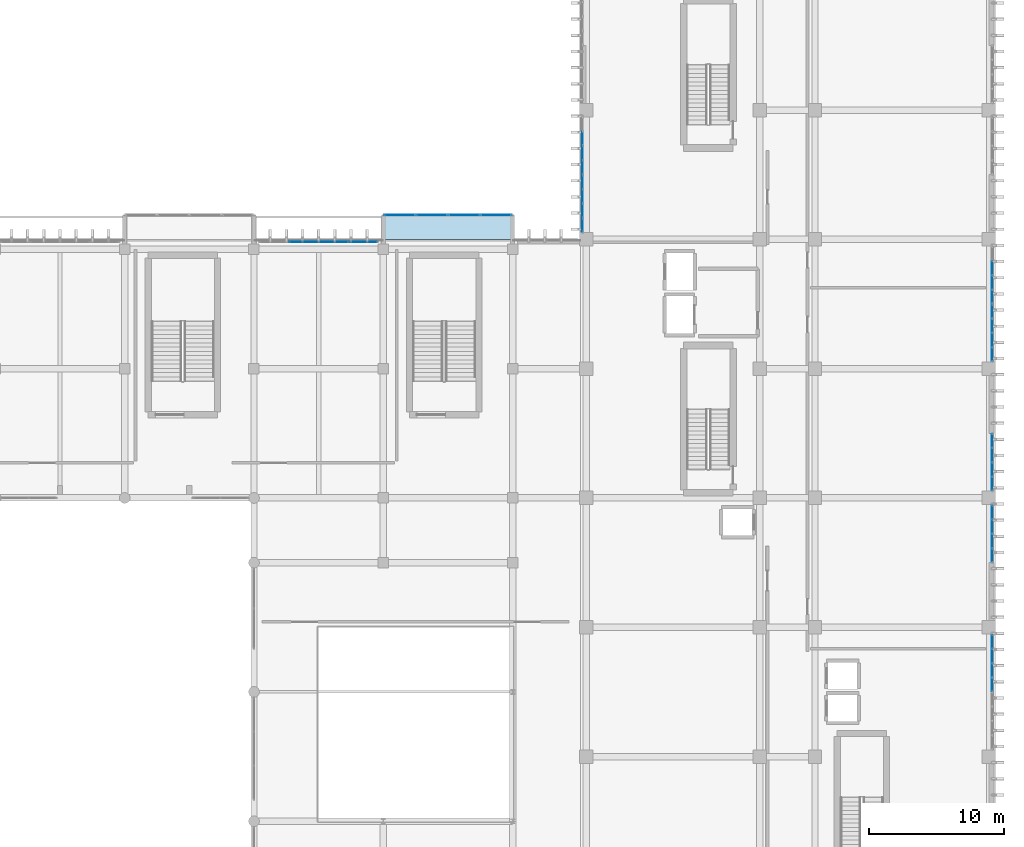
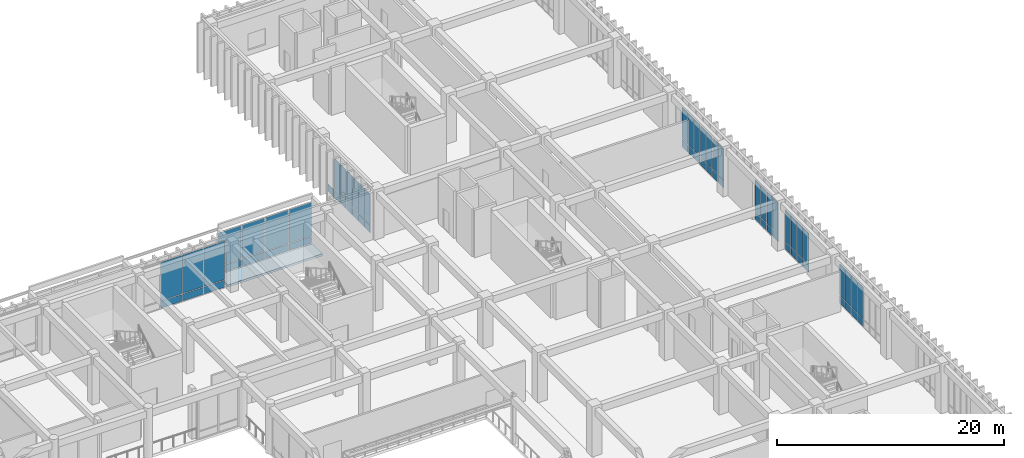
# One storey, part 99 of 134: 65 plates, 1 slab, 9 elements without a shape of their own.
"""IFC4 building model written with IfcOpenShell, lengths in metres."""

from ifc_helpers import new_model, si_unit, direction, frame, origin, origin_2d, place, context, subcontext, project, spatial, polyline, rectangle, outline, extrude, material, layer, layer_set, type_object, element, aggregate, save


model = new_model("IFC4")

# Units and contexts
model_context = context("Model", 3, precision=1e-05, world=origin(), true_north=direction((0.0, 1.0)))
body_context = subcontext(model_context, "Body", "Model", "MODEL_VIEW")
ifc_project = project(units=[si_unit("LENGTHUNIT", "METRE"), si_unit("AREAUNIT", "SQUARE_METRE"), si_unit("VOLUMEUNIT", "CUBIC_METRE"), si_unit("PLANEANGLEUNIT", "RADIAN"), si_unit("MASSUNIT", "GRAM", prefix="KILO")], contexts=[model_context])

# Site, building, storey
site_placement = place(None, origin())
site = spatial("IfcSite", under=ifc_project, at=site_placement, CompositionType="ELEMENT")
building_placement = place(site_placement, origin())
building = spatial("IfcBuilding", under=site, at=building_placement, Name="Nakhvara Creek Congress Hotel", CompositionType="ELEMENT")
storey_placement = place(building_placement, frame((0.0, 0.0, 6.0)))
storey = spatial("IfcBuildingStorey", under=building, at=storey_placement, Name="L01", CompositionType="ELEMENT", Elevation=6.0)

# Curtain wall, plates
ifc_material_1 = material(Name="Bronze-anodised aluminium AW-6063-T6 and double-silver low-E glass", Category="aluminium")
ifc_layer_1 = layer(ifc_material_1, 0.199951171875)
ifc_layer_set_1 = layer_set([ifc_layer_1], Name="Bronze-anodised aluminium AW-6063-T6 and double-silver low-E glass")
curtain_wall_type_1 = type_object("IfcCurtainWallType", Name="CW-HTL-UNIT", PredefinedType="USERDEFINED", material=ifc_layer_set_1)
curtain_wall_1_placement = place(storey_placement, origin())
curtain_wall_1 = element("IfcCurtainWall", 1, at=curtain_wall_1_placement, inside=storey, type_object=curtain_wall_type_1, Name="Curtain Wall CW115", ObjectType="UNITISED", PredefinedType="USERDEFINED")
ifc_material_2 = material(Name="Double-silver solar-control low-E insulated glass", Category="glass")
plate_type_1 = type_object("IfcPlateType", Name="PNL-GLZ-120X250", PredefinedType="CURTAIN_PANEL", material=ifc_material_2)
plate_1_placement = place(storey_placement, frame((179.60009765625, 66.133056640625, 0.06494140625), z_axis=(0.0, 0.0, 1.0), x_axis=(0.0, -1.0, 0.0)))
plate_1 = element("IfcPlate", 2, at=plate_1_placement, type_object=plate_type_1, Name="CW115 panel 1.1", PredefinedType="CURTAIN_PANEL", context=body_context, shape_type="SweptSolid", body=[
    extrude(rectangle(XDim=0.9736328125, YDim=0.028076171875, at=origin_2d()), origin(), (0.0, 0.0, 1.0), 0.75244140625),
])
plate_2_placement = place(storey_placement, frame((179.60009765625, 66.133056640625, 0.882568359375), z_axis=(0.0, 0.0, 1.0), x_axis=(0.0, -1.0, 0.0)))
plate_2 = element("IfcPlate", 3, at=plate_2_placement, type_object=plate_type_1, Name="CW115 panel 1.2", PredefinedType="CURTAIN_PANEL", context=body_context, shape_type="SweptSolid", body=[
    extrude(rectangle(XDim=0.9736328125, YDim=0.028076171875, at=origin_2d()), origin(), (0.0, 0.0, 1.0), 3.39453125),
])
plate_3_placement = place(storey_placement, frame((179.60009765625, 65.078125, 0.06494140625), z_axis=(0.0, 0.0, 1.0), x_axis=(0.0, -1.0, 0.0)))
plate_3 = element("IfcPlate", 4, at=plate_3_placement, type_object=plate_type_1, Name="CW115 panel 2.1", PredefinedType="CURTAIN_PANEL", context=body_context, shape_type="SweptSolid", body=[
    extrude(rectangle(XDim=1.00634765625, YDim=0.028076171875, at=origin_2d()), origin(), (0.0, 0.0, 1.0), 0.75244140625),
])
plate_4_placement = place(storey_placement, frame((179.60009765625, 65.078125, 0.882568359375), z_axis=(0.0, 0.0, 1.0), x_axis=(0.0, -1.0, 0.0)))
plate_4 = element("IfcPlate", 5, at=plate_4_placement, type_object=plate_type_1, Name="CW115 panel 2.2", PredefinedType="CURTAIN_PANEL", context=body_context, shape_type="SweptSolid", body=[
    extrude(rectangle(XDim=1.00634765625, YDim=0.028076171875, at=origin_2d()), origin(), (0.0, 0.0, 1.0), 3.39453125),
])
plate_5_placement = place(storey_placement, frame((179.60009765625, 64.0068359375, 0.06494140625), z_axis=(0.0, 0.0, 1.0), x_axis=(0.0, -1.0, 0.0)))
plate_5 = element("IfcPlate", 6, at=plate_5_placement, type_object=plate_type_1, Name="CW115 panel 3.1", PredefinedType="CURTAIN_PANEL", context=body_context, shape_type="SweptSolid", body=[
    extrude(rectangle(XDim=1.00634765625, YDim=0.028076171875, at=origin_2d()), origin(), (0.0, 0.0, 1.0), 0.75244140625),
])
plate_6_placement = place(storey_placement, frame((179.60009765625, 64.0068359375, 0.882568359375), z_axis=(0.0, 0.0, 1.0), x_axis=(0.0, -1.0, 0.0)))
plate_6 = element("IfcPlate", 7, at=plate_6_placement, type_object=plate_type_1, Name="CW115 panel 3.2", PredefinedType="CURTAIN_PANEL", context=body_context, shape_type="SweptSolid", body=[
    extrude(rectangle(XDim=1.00634765625, YDim=0.028076171875, at=origin_2d()), origin(), (0.0, 0.0, 1.0), 3.39453125),
])
plate_7_placement = place(storey_placement, frame((179.60009765625, 62.951904296875, 0.06494140625), z_axis=(0.0, 0.0, 1.0), x_axis=(0.0, -1.0, 0.0)))
plate_7 = element("IfcPlate", 8, at=plate_7_placement, type_object=plate_type_1, Name="CW115 panel 4.1", PredefinedType="CURTAIN_PANEL", context=body_context, shape_type="SweptSolid", body=[
    extrude(rectangle(XDim=0.9736328125, YDim=0.028076171875, at=origin_2d()), origin(), (0.0, 0.0, 1.0), 0.75244140625),
])
plate_8_placement = place(storey_placement, frame((179.60009765625, 62.951904296875, 0.882568359375), z_axis=(0.0, 0.0, 1.0), x_axis=(0.0, -1.0, 0.0)))
plate_8 = element("IfcPlate", 9, at=plate_8_placement, type_object=plate_type_1, Name="CW115 panel 4.2", PredefinedType="CURTAIN_PANEL", context=body_context, shape_type="SweptSolid", body=[
    extrude(rectangle(XDim=0.9736328125, YDim=0.028076171875, at=origin_2d()), origin(), (0.0, 0.0, 1.0), 3.39453125),
])
aggregate(curtain_wall_1, [plate_1, plate_2, plate_3, plate_4, plate_5, plate_6, plate_7, plate_8])

curtain_wall_2_placement = place(storey_placement, origin())
curtain_wall_2 = element("IfcCurtainWall", 10, at=curtain_wall_2_placement, inside=storey, type_object=curtain_wall_type_1, Name="Curtain Wall CW116", ObjectType="UNITISED", PredefinedType="USERDEFINED")
plate_9_placement = place(storey_placement, frame((179.60009765625, 75.733154296875, 0.06494140625), z_axis=(0.0, 0.0, 1.0), x_axis=(0.0, -1.0, 0.0)))
plate_9 = element("IfcPlate", 11, at=plate_9_placement, type_object=plate_type_1, Name="CW116 panel 1.1", PredefinedType="CURTAIN_PANEL", context=body_context, shape_type="SweptSolid", body=[
    extrude(rectangle(XDim=0.9736328125, YDim=0.028076171875, at=origin_2d()), origin(), (0.0, 0.0, 1.0), 0.75244140625),
])
plate_10_placement = place(storey_placement, frame((179.60009765625, 75.733154296875, 0.882568359375), z_axis=(0.0, 0.0, 1.0), x_axis=(0.0, -1.0, 0.0)))
plate_10 = element("IfcPlate", 12, at=plate_10_placement, type_object=plate_type_1, Name="CW116 panel 1.2", PredefinedType="CURTAIN_PANEL", context=body_context, shape_type="SweptSolid", body=[
    extrude(rectangle(XDim=0.9736328125, YDim=0.028076171875, at=origin_2d()), origin(), (0.0, 0.0, 1.0), 3.39453125),
])
plate_11_placement = place(storey_placement, frame((179.60009765625, 74.67822265625, 0.06494140625), z_axis=(0.0, 0.0, 1.0), x_axis=(0.0, -1.0, 0.0)))
plate_11 = element("IfcPlate", 13, at=plate_11_placement, type_object=plate_type_1, Name="CW116 panel 2.1", PredefinedType="CURTAIN_PANEL", context=body_context, shape_type="SweptSolid", body=[
    extrude(rectangle(XDim=1.00634765625, YDim=0.028076171875, at=origin_2d()), origin(), (0.0, 0.0, 1.0), 0.75244140625),
])
plate_12_placement = place(storey_placement, frame((179.60009765625, 74.67822265625, 0.882568359375), z_axis=(0.0, 0.0, 1.0), x_axis=(0.0, -1.0, 0.0)))
plate_12 = element("IfcPlate", 14, at=plate_12_placement, type_object=plate_type_1, Name="CW116 panel 2.2", PredefinedType="CURTAIN_PANEL", context=body_context, shape_type="SweptSolid", body=[
    extrude(rectangle(XDim=1.00634765625, YDim=0.028076171875, at=origin_2d()), origin(), (0.0, 0.0, 1.0), 3.39453125),
])
plate_13_placement = place(storey_placement, frame((179.60009765625, 73.60693359375, 0.06494140625), z_axis=(0.0, 0.0, 1.0), x_axis=(0.0, -1.0, 0.0)))
plate_13 = element("IfcPlate", 15, at=plate_13_placement, type_object=plate_type_1, Name="CW116 panel 3.1", PredefinedType="CURTAIN_PANEL", context=body_context, shape_type="SweptSolid", body=[
    extrude(rectangle(XDim=1.00634765625, YDim=0.028076171875, at=origin_2d()), origin(), (0.0, 0.0, 1.0), 0.75244140625),
])
plate_14_placement = place(storey_placement, frame((179.60009765625, 73.60693359375, 0.882568359375), z_axis=(0.0, 0.0, 1.0), x_axis=(0.0, -1.0, 0.0)))
plate_14 = element("IfcPlate", 16, at=plate_14_placement, type_object=plate_type_1, Name="CW116 panel 3.2", PredefinedType="CURTAIN_PANEL", context=body_context, shape_type="SweptSolid", body=[
    extrude(rectangle(XDim=1.00634765625, YDim=0.028076171875, at=origin_2d()), origin(), (0.0, 0.0, 1.0), 3.39453125),
])
plate_15_placement = place(storey_placement, frame((179.60009765625, 72.5517578125, 0.06494140625), z_axis=(0.0, 0.0, 1.0), x_axis=(0.0, -1.0, 0.0)))
plate_15 = element("IfcPlate", 17, at=plate_15_placement, type_object=plate_type_1, Name="CW116 panel 4.1", PredefinedType="CURTAIN_PANEL", context=body_context, shape_type="SweptSolid", body=[
    extrude(rectangle(XDim=0.9736328125, YDim=0.028076171875, at=origin_2d()), origin(), (0.0, 0.0, 1.0), 0.75244140625),
])
plate_16_placement = place(storey_placement, frame((179.60009765625, 72.5517578125, 0.882568359375), z_axis=(0.0, 0.0, 1.0), x_axis=(0.0, -1.0, 0.0)))
plate_16 = element("IfcPlate", 18, at=plate_16_placement, type_object=plate_type_1, Name="CW116 panel 4.2", PredefinedType="CURTAIN_PANEL", context=body_context, shape_type="SweptSolid", body=[
    extrude(rectangle(XDim=0.9736328125, YDim=0.028076171875, at=origin_2d()), origin(), (0.0, 0.0, 1.0), 3.39453125),
])
aggregate(curtain_wall_2, [plate_9, plate_10, plate_11, plate_12, plate_13, plate_14, plate_15, plate_16])

curtain_wall_3_placement = place(storey_placement, origin())
curtain_wall_3 = element("IfcCurtainWall", 19, at=curtain_wall_3_placement, inside=storey, type_object=curtain_wall_type_1, Name="Curtain Wall CW117", ObjectType="UNITISED", PredefinedType="USERDEFINED")
plate_17_placement = place(storey_placement, frame((179.60009765625, 81.048095703125, 0.06494140625), z_axis=(0.0, 0.0, 1.0), x_axis=(0.0, -1.0, 0.0)))
plate_17 = element("IfcPlate", 20, at=plate_17_placement, type_object=plate_type_1, Name="CW117 panel 1.1", PredefinedType="CURTAIN_PANEL", context=body_context, shape_type="SweptSolid", body=[
    extrude(rectangle(XDim=0.9736328125, YDim=0.028076171875, at=origin_2d()), origin(), (0.0, 0.0, 1.0), 0.75244140625),
])
plate_18_placement = place(storey_placement, frame((179.60009765625, 81.048095703125, 0.882568359375), z_axis=(0.0, 0.0, 1.0), x_axis=(0.0, -1.0, 0.0)))
plate_18 = element("IfcPlate", 21, at=plate_18_placement, type_object=plate_type_1, Name="CW117 panel 1.2", PredefinedType="CURTAIN_PANEL", context=body_context, shape_type="SweptSolid", body=[
    extrude(rectangle(XDim=0.9736328125, YDim=0.028076171875, at=origin_2d()), origin(), (0.0, 0.0, 1.0), 3.39453125),
])
plate_19_placement = place(storey_placement, frame((179.60009765625, 79.9931640625, 0.06494140625), z_axis=(0.0, 0.0, 1.0), x_axis=(0.0, -1.0, 0.0)))
plate_19 = element("IfcPlate", 22, at=plate_19_placement, type_object=plate_type_1, Name="CW117 panel 2.1", PredefinedType="CURTAIN_PANEL", context=body_context, shape_type="SweptSolid", body=[
    extrude(rectangle(XDim=1.00634765625, YDim=0.028076171875, at=origin_2d()), origin(), (0.0, 0.0, 1.0), 0.75244140625),
])
plate_20_placement = place(storey_placement, frame((179.60009765625, 79.9931640625, 0.882568359375), z_axis=(0.0, 0.0, 1.0), x_axis=(0.0, -1.0, 0.0)))
plate_20 = element("IfcPlate", 23, at=plate_20_placement, type_object=plate_type_1, Name="CW117 panel 2.2", PredefinedType="CURTAIN_PANEL", context=body_context, shape_type="SweptSolid", body=[
    extrude(rectangle(XDim=1.00634765625, YDim=0.028076171875, at=origin_2d()), origin(), (0.0, 0.0, 1.0), 3.39453125),
])
plate_21_placement = place(storey_placement, frame((179.60009765625, 78.921875, 0.06494140625), z_axis=(0.0, 0.0, 1.0), x_axis=(0.0, -1.0, 0.0)))
plate_21 = element("IfcPlate", 24, at=plate_21_placement, type_object=plate_type_1, Name="CW117 panel 3.1", PredefinedType="CURTAIN_PANEL", context=body_context, shape_type="SweptSolid", body=[
    extrude(rectangle(XDim=1.00634765625, YDim=0.028076171875, at=origin_2d()), origin(), (0.0, 0.0, 1.0), 0.75244140625),
])
plate_22_placement = place(storey_placement, frame((179.60009765625, 78.921875, 0.882568359375), z_axis=(0.0, 0.0, 1.0), x_axis=(0.0, -1.0, 0.0)))
plate_22 = element("IfcPlate", 25, at=plate_22_placement, type_object=plate_type_1, Name="CW117 panel 3.2", PredefinedType="CURTAIN_PANEL", context=body_context, shape_type="SweptSolid", body=[
    extrude(rectangle(XDim=1.00634765625, YDim=0.028076171875, at=origin_2d()), origin(), (0.0, 0.0, 1.0), 3.39453125),
])
plate_23_placement = place(storey_placement, frame((179.60009765625, 77.866943359375, 0.06494140625), z_axis=(0.0, 0.0, 1.0), x_axis=(0.0, -1.0, 0.0)))
plate_23 = element("IfcPlate", 26, at=plate_23_placement, type_object=plate_type_1, Name="CW117 panel 4.1", PredefinedType="CURTAIN_PANEL", context=body_context, shape_type="SweptSolid", body=[
    extrude(rectangle(XDim=0.9736328125, YDim=0.028076171875, at=origin_2d()), origin(), (0.0, 0.0, 1.0), 0.75244140625),
])
plate_24_placement = place(storey_placement, frame((179.60009765625, 77.866943359375, 0.882568359375), z_axis=(0.0, 0.0, 1.0), x_axis=(0.0, -1.0, 0.0)))
plate_24 = element("IfcPlate", 27, at=plate_24_placement, type_object=plate_type_1, Name="CW117 panel 4.2", PredefinedType="CURTAIN_PANEL", context=body_context, shape_type="SweptSolid", body=[
    extrude(rectangle(XDim=0.9736328125, YDim=0.028076171875, at=origin_2d()), origin(), (0.0, 0.0, 1.0), 3.39453125),
])
aggregate(curtain_wall_3, [plate_17, plate_18, plate_19, plate_20, plate_21, plate_22, plate_23, plate_24])

curtain_wall_4_placement = place(storey_placement, origin())
curtain_wall_4 = element("IfcCurtainWall", 28, at=curtain_wall_4_placement, inside=storey, type_object=curtain_wall_type_1, Name="Curtain Wall CW118", ObjectType="UNITISED", PredefinedType="USERDEFINED")
plate_25_placement = place(storey_placement, frame((179.60009765625, 90.648193359375, 0.06494140625), z_axis=(0.0, 0.0, 1.0), x_axis=(0.0, -1.0, 0.0)))
plate_25 = element("IfcPlate", 29, at=plate_25_placement, type_object=plate_type_1, Name="CW118 panel 1.1", PredefinedType="CURTAIN_PANEL", context=body_context, shape_type="SweptSolid", body=[
    extrude(rectangle(XDim=0.9736328125, YDim=0.028076171875, at=origin_2d()), origin(), (0.0, 0.0, 1.0), 0.75244140625),
])
plate_26_placement = place(storey_placement, frame((179.60009765625, 90.648193359375, 0.882568359375), z_axis=(0.0, 0.0, 1.0), x_axis=(0.0, -1.0, 0.0)))
plate_26 = element("IfcPlate", 30, at=plate_26_placement, type_object=plate_type_1, Name="CW118 panel 1.2", PredefinedType="CURTAIN_PANEL", context=body_context, shape_type="SweptSolid", body=[
    extrude(rectangle(XDim=0.9736328125, YDim=0.028076171875, at=origin_2d()), origin(), (0.0, 0.0, 1.0), 3.39453125),
])
plate_27_placement = place(storey_placement, frame((179.60009765625, 89.593017578125, 0.06494140625), z_axis=(0.0, 0.0, 1.0), x_axis=(0.0, -1.0, 0.0)))
plate_27 = element("IfcPlate", 31, at=plate_27_placement, type_object=plate_type_1, Name="CW118 panel 2.1", PredefinedType="CURTAIN_PANEL", context=body_context, shape_type="SweptSolid", body=[
    extrude(rectangle(XDim=1.00634765625, YDim=0.028076171875, at=origin_2d()), origin(), (0.0, 0.0, 1.0), 0.75244140625),
])
plate_28_placement = place(storey_placement, frame((179.60009765625, 89.593017578125, 0.882568359375), z_axis=(0.0, 0.0, 1.0), x_axis=(0.0, -1.0, 0.0)))
plate_28 = element("IfcPlate", 32, at=plate_28_placement, type_object=plate_type_1, Name="CW118 panel 2.2", PredefinedType="CURTAIN_PANEL", context=body_context, shape_type="SweptSolid", body=[
    extrude(rectangle(XDim=1.00634765625, YDim=0.028076171875, at=origin_2d()), origin(), (0.0, 0.0, 1.0), 3.39453125),
])
plate_29_placement = place(storey_placement, frame((179.60009765625, 88.52197265625, 0.06494140625), z_axis=(0.0, 0.0, 1.0), x_axis=(0.0, -1.0, 0.0)))
plate_29 = element("IfcPlate", 33, at=plate_29_placement, type_object=plate_type_1, Name="CW118 panel 3.1", PredefinedType="CURTAIN_PANEL", context=body_context, shape_type="SweptSolid", body=[
    extrude(rectangle(XDim=1.00634765625, YDim=0.028076171875, at=origin_2d()), origin(), (0.0, 0.0, 1.0), 0.75244140625),
])
plate_30_placement = place(storey_placement, frame((179.60009765625, 88.52197265625, 0.882568359375), z_axis=(0.0, 0.0, 1.0), x_axis=(0.0, -1.0, 0.0)))
plate_30 = element("IfcPlate", 34, at=plate_30_placement, type_object=plate_type_1, Name="CW118 panel 3.2", PredefinedType="CURTAIN_PANEL", context=body_context, shape_type="SweptSolid", body=[
    extrude(rectangle(XDim=1.00634765625, YDim=0.028076171875, at=origin_2d()), origin(), (0.0, 0.0, 1.0), 3.39453125),
])
plate_31_placement = place(storey_placement, frame((179.60009765625, 87.466796875, 0.06494140625), z_axis=(0.0, 0.0, 1.0), x_axis=(0.0, -1.0, 0.0)))
plate_31 = element("IfcPlate", 35, at=plate_31_placement, type_object=plate_type_1, Name="CW118 panel 4.1", PredefinedType="CURTAIN_PANEL", context=body_context, shape_type="SweptSolid", body=[
    extrude(rectangle(XDim=0.9736328125, YDim=0.028076171875, at=origin_2d()), origin(), (0.0, 0.0, 1.0), 0.75244140625),
])
plate_32_placement = place(storey_placement, frame((179.60009765625, 87.466796875, 0.882568359375), z_axis=(0.0, 0.0, 1.0), x_axis=(0.0, -1.0, 0.0)))
plate_32 = element("IfcPlate", 36, at=plate_32_placement, type_object=plate_type_1, Name="CW118 panel 4.2", PredefinedType="CURTAIN_PANEL", context=body_context, shape_type="SweptSolid", body=[
    extrude(rectangle(XDim=0.9736328125, YDim=0.028076171875, at=origin_2d()), origin(), (0.0, 0.0, 1.0), 3.39453125),
])
aggregate(curtain_wall_4, [plate_25, plate_26, plate_27, plate_28, plate_29, plate_30, plate_31, plate_32])

curtain_wall_5_placement = place(storey_placement, origin())
curtain_wall_5 = element("IfcCurtainWall", 37, at=curtain_wall_5_placement, inside=storey, type_object=curtain_wall_type_1, Name="Curtain Wall CW119", ObjectType="UNITISED", PredefinedType="USERDEFINED")
plate_33_placement = place(storey_placement, frame((179.60009765625, 93.878173828125, 0.06494140625), z_axis=(0.0, 0.0, 1.0), x_axis=(0.0, -1.0, 0.0)))
plate_33 = element("IfcPlate", 38, at=plate_33_placement, type_object=plate_type_1, Name="CW119 panel 2.1", PredefinedType="CURTAIN_PANEL", context=body_context, shape_type="SweptSolid", body=[
    extrude(rectangle(XDim=1.00634765625, YDim=0.028076171875, at=origin_2d()), origin(), (0.0, 0.0, 1.0), 0.75244140625),
])
plate_34_placement = place(storey_placement, frame((179.60009765625, 93.878173828125, 0.882568359375), z_axis=(0.0, 0.0, 1.0), x_axis=(0.0, -1.0, 0.0)))
plate_34 = element("IfcPlate", 39, at=plate_34_placement, type_object=plate_type_1, Name="CW119 panel 2.2", PredefinedType="CURTAIN_PANEL", context=body_context, shape_type="SweptSolid", body=[
    extrude(rectangle(XDim=1.00634765625, YDim=0.028076171875, at=origin_2d()), origin(), (0.0, 0.0, 1.0), 3.39453125),
])
plate_35_placement = place(storey_placement, frame((179.60009765625, 92.806884765625, 0.06494140625), z_axis=(0.0, 0.0, 1.0), x_axis=(0.0, -1.0, 0.0)))
plate_35 = element("IfcPlate", 40, at=plate_35_placement, type_object=plate_type_1, Name="CW119 panel 3.1", PredefinedType="CURTAIN_PANEL", context=body_context, shape_type="SweptSolid", body=[
    extrude(rectangle(XDim=1.00634765625, YDim=0.028076171875, at=origin_2d()), origin(), (0.0, 0.0, 1.0), 0.75244140625),
])
plate_36_placement = place(storey_placement, frame((179.60009765625, 92.806884765625, 0.882568359375), z_axis=(0.0, 0.0, 1.0), x_axis=(0.0, -1.0, 0.0)))
plate_36 = element("IfcPlate", 41, at=plate_36_placement, type_object=plate_type_1, Name="CW119 panel 3.2", PredefinedType="CURTAIN_PANEL", context=body_context, shape_type="SweptSolid", body=[
    extrude(rectangle(XDim=1.00634765625, YDim=0.028076171875, at=origin_2d()), origin(), (0.0, 0.0, 1.0), 3.39453125),
])
plate_37_placement = place(storey_placement, frame((179.60009765625, 91.751953125, 0.06494140625), z_axis=(0.0, 0.0, 1.0), x_axis=(0.0, -1.0, 0.0)))
plate_37 = element("IfcPlate", 42, at=plate_37_placement, type_object=plate_type_1, Name="CW119 panel 4.1", PredefinedType="CURTAIN_PANEL", context=body_context, shape_type="SweptSolid", body=[
    extrude(rectangle(XDim=0.9736328125, YDim=0.028076171875, at=origin_2d()), origin(), (0.0, 0.0, 1.0), 0.75244140625),
])
plate_38_placement = place(storey_placement, frame((179.60009765625, 91.751953125, 0.882568359375), z_axis=(0.0, 0.0, 1.0), x_axis=(0.0, -1.0, 0.0)))
plate_38 = element("IfcPlate", 43, at=plate_38_placement, type_object=plate_type_1, Name="CW119 panel 4.2", PredefinedType="CURTAIN_PANEL", context=body_context, shape_type="SweptSolid", body=[
    extrude(rectangle(XDim=0.9736328125, YDim=0.028076171875, at=origin_2d()), origin(), (0.0, 0.0, 1.0), 3.39453125),
])
aggregate(curtain_wall_5, [plate_33, plate_34, plate_35, plate_36, plate_37, plate_38])

curtain_wall_6_placement = place(storey_placement, origin())
curtain_wall_6 = element("IfcCurtainWall", 44, at=curtain_wall_6_placement, inside=storey, type_object=curtain_wall_type_1, Name="Curtain Wall CW120", ObjectType="UNITISED", PredefinedType="USERDEFINED")
plate_39_placement = place(storey_placement, frame((149.199951171875, 97.06689453125, 0.06494140625), z_axis=(0.0, 0.0, 1.0), x_axis=(0.0, 1.0, 0.0)))
plate_39 = element("IfcPlate", 45, at=plate_39_placement, type_object=plate_type_1, Name="CW120 panel 1.1", PredefinedType="CURTAIN_PANEL", context=body_context, shape_type="SweptSolid", body=[
    extrude(rectangle(XDim=0.9736328125, YDim=0.028076171875, at=origin_2d()), origin(), (0.0, 0.0, 1.0), 0.75244140625),
])
plate_40_placement = place(storey_placement, frame((149.199951171875, 97.06689453125, 0.88232421875), z_axis=(0.0, 0.0, 1.0), x_axis=(0.0, 1.0, 0.0)))
plate_40 = element("IfcPlate", 46, at=plate_40_placement, type_object=plate_type_1, Name="CW120 panel 1.2", PredefinedType="CURTAIN_PANEL", context=body_context, shape_type="SweptSolid", body=[
    extrude(rectangle(XDim=0.9736328125, YDim=0.028076171875, at=origin_2d()), origin(), (0.0, 0.0, 1.0), 3.364501953125),
])
plate_41_placement = place(storey_placement, frame((149.199951171875, 98.121826171875, 0.06494140625), z_axis=(0.0, 0.0, 1.0), x_axis=(0.0, 1.0, 0.0)))
plate_41 = element("IfcPlate", 47, at=plate_41_placement, type_object=plate_type_1, Name="CW120 panel 2.1", PredefinedType="CURTAIN_PANEL", context=body_context, shape_type="SweptSolid", body=[
    extrude(rectangle(XDim=1.00634765625, YDim=0.028076171875, at=origin_2d()), origin(), (0.0, 0.0, 1.0), 0.75244140625),
])
plate_42_placement = place(storey_placement, frame((149.199951171875, 98.121826171875, 0.88232421875), z_axis=(0.0, 0.0, 1.0), x_axis=(0.0, 1.0, 0.0)))
plate_42 = element("IfcPlate", 48, at=plate_42_placement, type_object=plate_type_1, Name="CW120 panel 2.2", PredefinedType="CURTAIN_PANEL", context=body_context, shape_type="SweptSolid", body=[
    extrude(rectangle(XDim=1.00634765625, YDim=0.028076171875, at=origin_2d()), origin(), (0.0, 0.0, 1.0), 3.364501953125),
])
plate_43_placement = place(storey_placement, frame((149.199951171875, 99.193115234375, 0.06494140625), z_axis=(0.0, 0.0, 1.0), x_axis=(0.0, 1.0, 0.0)))
plate_43 = element("IfcPlate", 49, at=plate_43_placement, type_object=plate_type_1, Name="CW120 panel 3.1", PredefinedType="CURTAIN_PANEL", context=body_context, shape_type="SweptSolid", body=[
    extrude(rectangle(XDim=1.00634765625, YDim=0.028076171875, at=origin_2d()), origin(), (0.0, 0.0, 1.0), 0.75244140625),
])
plate_44_placement = place(storey_placement, frame((149.199951171875, 99.193115234375, 0.88232421875), z_axis=(0.0, 0.0, 1.0), x_axis=(0.0, 1.0, 0.0)))
plate_44 = element("IfcPlate", 50, at=plate_44_placement, type_object=plate_type_1, Name="CW120 panel 3.2", PredefinedType="CURTAIN_PANEL", context=body_context, shape_type="SweptSolid", body=[
    extrude(rectangle(XDim=1.00634765625, YDim=0.028076171875, at=origin_2d()), origin(), (0.0, 0.0, 1.0), 3.364501953125),
])
plate_45_placement = place(storey_placement, frame((149.199951171875, 100.248046875, 0.06494140625), z_axis=(0.0, 0.0, 1.0), x_axis=(0.0, 1.0, 0.0)))
plate_45 = element("IfcPlate", 51, at=plate_45_placement, type_object=plate_type_1, Name="CW120 panel 4.1", PredefinedType="CURTAIN_PANEL", context=body_context, shape_type="SweptSolid", body=[
    extrude(rectangle(XDim=0.9736328125, YDim=0.028076171875, at=origin_2d()), origin(), (0.0, 0.0, 1.0), 0.75244140625),
])
plate_46_placement = place(storey_placement, frame((149.199951171875, 100.248046875, 0.88232421875), z_axis=(0.0, 0.0, 1.0), x_axis=(0.0, 1.0, 0.0)))
plate_46 = element("IfcPlate", 52, at=plate_46_placement, type_object=plate_type_1, Name="CW120 panel 4.2", PredefinedType="CURTAIN_PANEL", context=body_context, shape_type="SweptSolid", body=[
    extrude(rectangle(XDim=0.9736328125, YDim=0.028076171875, at=origin_2d()), origin(), (0.0, 0.0, 1.0), 3.364501953125),
])
aggregate(curtain_wall_6, [plate_39, plate_40, plate_41, plate_42, plate_43, plate_44, plate_45, plate_46])

curtain_wall_7_placement = place(storey_placement, origin())
curtain_wall_7 = element("IfcCurtainWall", 53, at=curtain_wall_7_placement, inside=storey, type_object=curtain_wall_type_1, Name="Curtain Wall CW122", ObjectType="UNITISED", PredefinedType="USERDEFINED")
plate_47_placement = place(storey_placement, frame((149.199951171875, 101.351806640625, 0.06494140625), z_axis=(0.0, 0.0, 1.0), x_axis=(0.0, 1.0, 0.0)))
plate_47 = element("IfcPlate", 54, at=plate_47_placement, type_object=plate_type_1, Name="CW122 panel 1.1", PredefinedType="CURTAIN_PANEL", context=body_context, shape_type="SweptSolid", body=[
    extrude(rectangle(XDim=0.9736328125, YDim=0.028076171875, at=origin_2d()), origin(), (0.0, 0.0, 1.0), 0.75244140625),
])
plate_48_placement = place(storey_placement, frame((149.199951171875, 101.351806640625, 0.88232421875), z_axis=(0.0, 0.0, 1.0), x_axis=(0.0, 1.0, 0.0)))
plate_48 = element("IfcPlate", 55, at=plate_48_placement, type_object=plate_type_1, Name="CW122 panel 1.2", PredefinedType="CURTAIN_PANEL", context=body_context, shape_type="SweptSolid", body=[
    extrude(rectangle(XDim=0.9736328125, YDim=0.028076171875, at=origin_2d()), origin(), (0.0, 0.0, 1.0), 3.364501953125),
])
plate_49_placement = place(storey_placement, frame((149.199951171875, 102.406982421875, 0.06494140625), z_axis=(0.0, 0.0, 1.0), x_axis=(0.0, 1.0, 0.0)))
plate_49 = element("IfcPlate", 56, at=plate_49_placement, type_object=plate_type_1, Name="CW122 panel 2.1", PredefinedType="CURTAIN_PANEL", context=body_context, shape_type="SweptSolid", body=[
    extrude(rectangle(XDim=1.00634765625, YDim=0.028076171875, at=origin_2d()), origin(), (0.0, 0.0, 1.0), 0.75244140625),
])
plate_50_placement = place(storey_placement, frame((149.199951171875, 102.406982421875, 0.88232421875), z_axis=(0.0, 0.0, 1.0), x_axis=(0.0, 1.0, 0.0)))
plate_50 = element("IfcPlate", 57, at=plate_50_placement, type_object=plate_type_1, Name="CW122 panel 2.2", PredefinedType="CURTAIN_PANEL", context=body_context, shape_type="SweptSolid", body=[
    extrude(rectangle(XDim=1.00634765625, YDim=0.028076171875, at=origin_2d()), origin(), (0.0, 0.0, 1.0), 3.364501953125),
])
plate_51_placement = place(storey_placement, frame((149.199951171875, 103.47802734375, 0.06494140625), z_axis=(0.0, 0.0, 1.0), x_axis=(0.0, 1.0, 0.0)))
plate_51 = element("IfcPlate", 58, at=plate_51_placement, type_object=plate_type_1, Name="CW122 panel 3.1", PredefinedType="CURTAIN_PANEL", context=body_context, shape_type="SweptSolid", body=[
    extrude(rectangle(XDim=1.00634765625, YDim=0.028076171875, at=origin_2d()), origin(), (0.0, 0.0, 1.0), 0.75244140625),
])
aggregate(curtain_wall_7, [plate_47, plate_48, plate_49, plate_50, plate_51])

ifc_layer_2 = layer(ifc_material_1, 0.219970703125)
ifc_layer_set_2 = layer_set([ifc_layer_2], Name="Bronze-anodised aluminium AW-6063-T6 and double-silver low-E glass")
curtain_wall_type_2 = type_object("IfcCurtainWallType", Name="CW-BOX-PROJ", PredefinedType="USERDEFINED", material=ifc_layer_set_2)
curtain_wall_8_placement = place(storey_placement, origin())
curtain_wall_8 = element("IfcCurtainWall", 59, at=curtain_wall_8_placement, inside=storey, type_object=curtain_wall_type_2, Name="Curtain Wall CW067", ObjectType="UNITISED", PredefinedType="USERDEFINED")
plate_type_2 = type_object("IfcPlateType", Name="PNL-GLZ-240X260", PredefinedType="CURTAIN_PANEL", material=ifc_material_2)
plate_52_placement = place(storey_placement, frame((135.6201171875, 97.800048828125, 0.0751953125), z_axis=(0.0, 0.0, 1.0), x_axis=(1.0, 0.0, 0.0)))
plate_52 = element("IfcPlate", 60, at=plate_52_placement, type_object=plate_type_2, Name="CW067 panel 1.1", PredefinedType="CURTAIN_PANEL", context=body_context, shape_type="SweptSolid", body=[
    extrude(rectangle(XDim=2.280029296875, YDim=0.030029296875, at=origin_2d()), origin(), (0.0, 0.0, 1.0), 0.737548828125),
])
plate_53_placement = place(storey_placement, frame((135.6201171875, 97.800048828125, 0.887451171875), z_axis=(0.0, 0.0, 1.0), x_axis=(1.0, 0.0, 0.0)))
plate_53 = element("IfcPlate", 61, at=plate_53_placement, type_object=plate_type_2, Name="CW067 panel 1.2", PredefinedType="CURTAIN_PANEL", context=body_context, shape_type="SweptSolid", body=[
    extrude(rectangle(XDim=2.280029296875, YDim=0.030029296875, at=origin_2d()), origin(), (0.0, 0.0, 1.0), 3.57958984375),
])
plate_54_placement = place(storey_placement, frame((138.0, 97.800048828125, 0.0751953125), z_axis=(0.0, 0.0, 1.0), x_axis=(1.0, 0.0, 0.0)))
plate_54 = element("IfcPlate", 62, at=plate_54_placement, type_object=plate_type_2, Name="CW067 panel 2.1", PredefinedType="CURTAIN_PANEL", context=body_context, shape_type="SweptSolid", body=[
    extrude(rectangle(XDim=2.320068359375, YDim=0.030029296875, at=origin_2d()), origin(), (0.0, 0.0, 1.0), 0.737548828125),
])
plate_55_placement = place(storey_placement, frame((138.0, 97.800048828125, 0.887451171875), z_axis=(0.0, 0.0, 1.0), x_axis=(1.0, 0.0, 0.0)))
plate_55 = element("IfcPlate", 63, at=plate_55_placement, type_object=plate_type_2, Name="CW067 panel 2.2", PredefinedType="CURTAIN_PANEL", context=body_context, shape_type="SweptSolid", body=[
    extrude(rectangle(XDim=2.320068359375, YDim=0.030029296875, at=origin_2d()), origin(), (0.0, 0.0, 1.0), 3.57958984375),
])
plate_56_placement = place(storey_placement, frame((140.39990234375, 97.800048828125, 0.0751953125), z_axis=(0.0, 0.0, 1.0), x_axis=(1.0, 0.0, 0.0)))
plate_56 = element("IfcPlate", 64, at=plate_56_placement, type_object=plate_type_2, Name="CW067 panel 3.1", PredefinedType="CURTAIN_PANEL", context=body_context, shape_type="SweptSolid", body=[
    extrude(rectangle(XDim=2.320068359375, YDim=0.030029296875, at=origin_2d()), origin(), (0.0, 0.0, 1.0), 0.737548828125),
])
plate_57_placement = place(storey_placement, frame((140.39990234375, 97.800048828125, 0.887451171875), z_axis=(0.0, 0.0, 1.0), x_axis=(1.0, 0.0, 0.0)))
plate_57 = element("IfcPlate", 65, at=plate_57_placement, type_object=plate_type_2, Name="CW067 panel 3.2", PredefinedType="CURTAIN_PANEL", context=body_context, shape_type="SweptSolid", body=[
    extrude(rectangle(XDim=2.320068359375, YDim=0.030029296875, at=origin_2d()), origin(), (0.0, 0.0, 1.0), 3.57958984375),
])
plate_58_placement = place(storey_placement, frame((142.780029296875, 97.800048828125, 0.0751953125), z_axis=(0.0, 0.0, 1.0), x_axis=(1.0, 0.0, 0.0)))
plate_58 = element("IfcPlate", 66, at=plate_58_placement, type_object=plate_type_2, Name="CW067 panel 4.1", PredefinedType="CURTAIN_PANEL", context=body_context, shape_type="SweptSolid", body=[
    extrude(rectangle(XDim=2.280029296875, YDim=0.030029296875, at=origin_2d()), origin(), (0.0, 0.0, 1.0), 0.737548828125),
])
plate_59_placement = place(storey_placement, frame((142.780029296875, 97.800048828125, 0.887451171875), z_axis=(0.0, 0.0, 1.0), x_axis=(1.0, 0.0, 0.0)))
plate_59 = element("IfcPlate", 67, at=plate_59_placement, type_object=plate_type_2, Name="CW067 panel 4.2", PredefinedType="CURTAIN_PANEL", context=body_context, shape_type="SweptSolid", body=[
    extrude(rectangle(XDim=2.280029296875, YDim=0.030029296875, at=origin_2d()), origin(), (0.0, 0.0, 1.0), 3.57958984375),
])
aggregate(curtain_wall_8, [plate_52, plate_53, plate_54, plate_55, plate_56, plate_57, plate_58, plate_59])

ifc_layer_3 = layer(ifc_material_1, 0.199951171875)
ifc_layer_set_3 = layer_set([ifc_layer_3], Name="Bronze-anodised aluminium AW-6063-T6 and double-silver low-E glass")
curtain_wall_type_3 = type_object("IfcCurtainWallType", Name="CW-POD-STICK", PredefinedType="NOTDEFINED", material=ifc_layer_set_3)
curtain_wall_9_placement = place(storey_placement, origin())
curtain_wall_9 = element("IfcCurtainWall", 68, at=curtain_wall_9_placement, inside=storey, type_object=curtain_wall_type_3, Name="Curtain Wall CW072", PredefinedType="NOTDEFINED")
plate_60_placement = place(storey_placement, frame((128.501220703125, 95.800048828125, 0.06494140625), z_axis=(0.0, 0.0, 1.0), x_axis=(1.0, 0.0, 0.0)))
plate_60 = element("IfcPlate", 69, at=plate_60_placement, type_object=plate_type_2, Name="CW072 panel 2.1", PredefinedType="CURTAIN_PANEL", context=body_context, shape_type="SweptSolid", body=[
    extrude(rectangle(XDim=2.132568359375, YDim=0.030029296875, at=origin_2d()), origin(), (0.0, 0.0, 1.0), 0.75244140625),
])
plate_61_placement = place(storey_placement, frame((128.501220703125, 95.800048828125, 0.882568359375), z_axis=(0.0, 0.0, 1.0), x_axis=(1.0, 0.0, 0.0)))
plate_61 = element("IfcPlate", 70, at=plate_61_placement, type_object=plate_type_2, Name="CW072 panel 2.2", PredefinedType="CURTAIN_PANEL", context=body_context, shape_type="SweptSolid", body=[
    extrude(rectangle(XDim=2.132568359375, YDim=0.030029296875, at=origin_2d()), origin(), (0.0, 0.0, 1.0), 4.12255859375),
])
plate_62_placement = place(storey_placement, frame((130.69873046875, 95.800048828125, 0.06494140625), z_axis=(0.0, 0.0, 1.0), x_axis=(1.0, 0.0, 0.0)))
plate_62 = element("IfcPlate", 71, at=plate_62_placement, type_object=plate_type_2, Name="CW072 panel 3.1", PredefinedType="CURTAIN_PANEL", context=body_context, shape_type="SweptSolid", body=[
    extrude(rectangle(XDim=2.132568359375, YDim=0.030029296875, at=origin_2d()), origin(), (0.0, 0.0, 1.0), 0.75244140625),
])
plate_63_placement = place(storey_placement, frame((130.69873046875, 95.800048828125, 0.882568359375), z_axis=(0.0, 0.0, 1.0), x_axis=(1.0, 0.0, 0.0)))
plate_63 = element("IfcPlate", 72, at=plate_63_placement, type_object=plate_type_2, Name="CW072 panel 3.2", PredefinedType="CURTAIN_PANEL", context=body_context, shape_type="SweptSolid", body=[
    extrude(rectangle(XDim=2.132568359375, YDim=0.030029296875, at=origin_2d()), origin(), (0.0, 0.0, 1.0), 4.12255859375),
])
plate_64_placement = place(storey_placement, frame((132.8798828125, 95.800048828125, 0.06494140625), z_axis=(0.0, 0.0, 1.0), x_axis=(1.0, 0.0, 0.0)))
plate_64 = element("IfcPlate", 73, at=plate_64_placement, type_object=plate_type_2, Name="CW072 panel 4.1", PredefinedType="CURTAIN_PANEL", context=body_context, shape_type="SweptSolid", body=[
    extrude(rectangle(XDim=2.10009765625, YDim=0.030029296875, at=origin_2d()), origin(), (0.0, 0.0, 1.0), 0.75244140625),
])
plate_65_placement = place(storey_placement, frame((132.8798828125, 95.800048828125, 0.882568359375), z_axis=(0.0, 0.0, 1.0), x_axis=(1.0, 0.0, 0.0)))
plate_65 = element("IfcPlate", 74, at=plate_65_placement, type_object=plate_type_2, Name="CW072 panel 4.2", PredefinedType="CURTAIN_PANEL", context=body_context, shape_type="SweptSolid", body=[
    extrude(rectangle(XDim=2.10009765625, YDim=0.030029296875, at=origin_2d()), origin(), (0.0, 0.0, 1.0), 4.12255859375),
])
aggregate(curtain_wall_9, [plate_60, plate_61, plate_62, plate_63, plate_64, plate_65])

# Slab
ifc_material_3 = material(Name="Concrete C40/50", Category="concrete")
ifc_layer_4 = layer(ifc_material_3, 0.219970703125)
ifc_layer_set_4 = layer_set([ifc_layer_4], Name="Concrete C40/50")
slab_type = type_object("IfcSlabType", Name="SL-FLR-220", PredefinedType="FLOOR", material=ifc_layer_set_4)
slab_placement = place(storey_placement, frame((0.0, 0.0, -0.219970703125)))
element("IfcSlab", 75, at=slab_placement, inside=storey, type_object=slab_type, Name="Structural Slab SLB-PBOX-L01-N3", PredefinedType="FLOOR", context=body_context, shape_type="SweptSolid", body=[
    extrude(outline(polyline([(134.39990234375, 96.0), (144.0, 96.0), (144.0, 97.800048828125), (134.39990234375, 97.800048828125), (134.39990234375, 96.0)])), origin(), (0.0, 0.0, 1.0), 0.219970703125),
])

save(model, "model.ifc")
